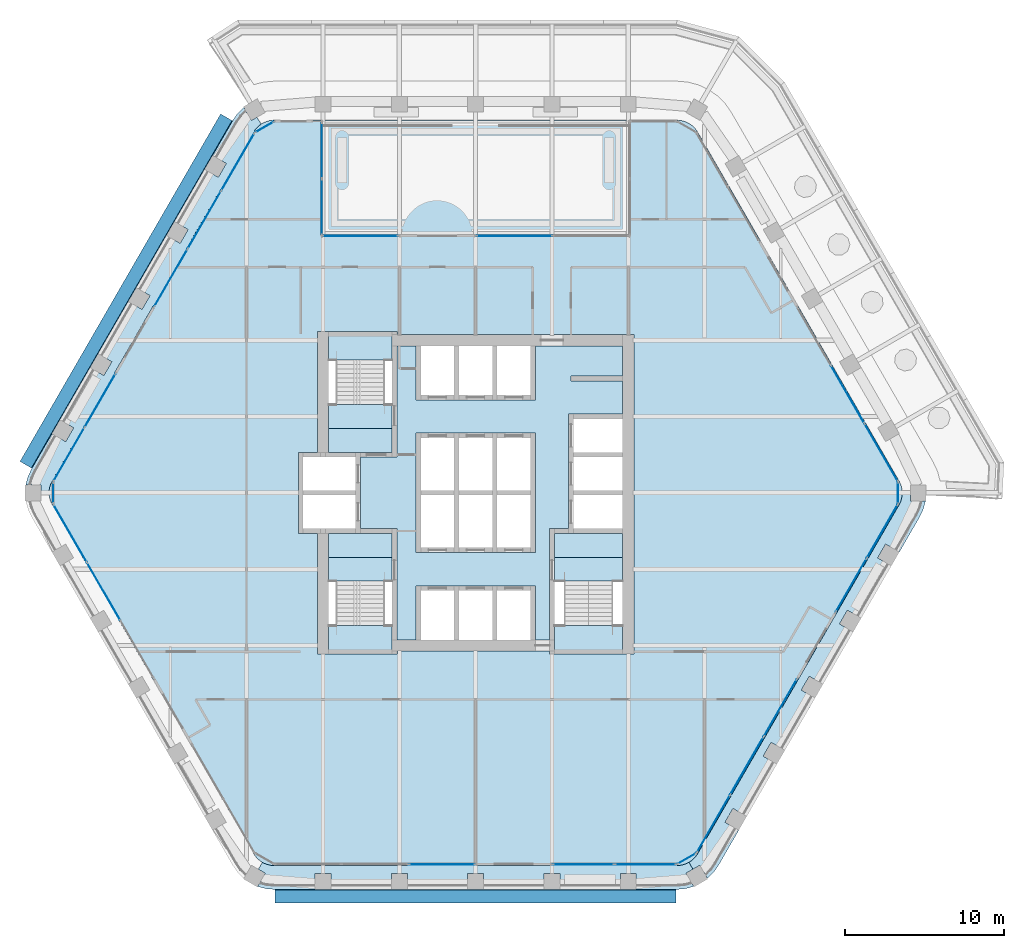
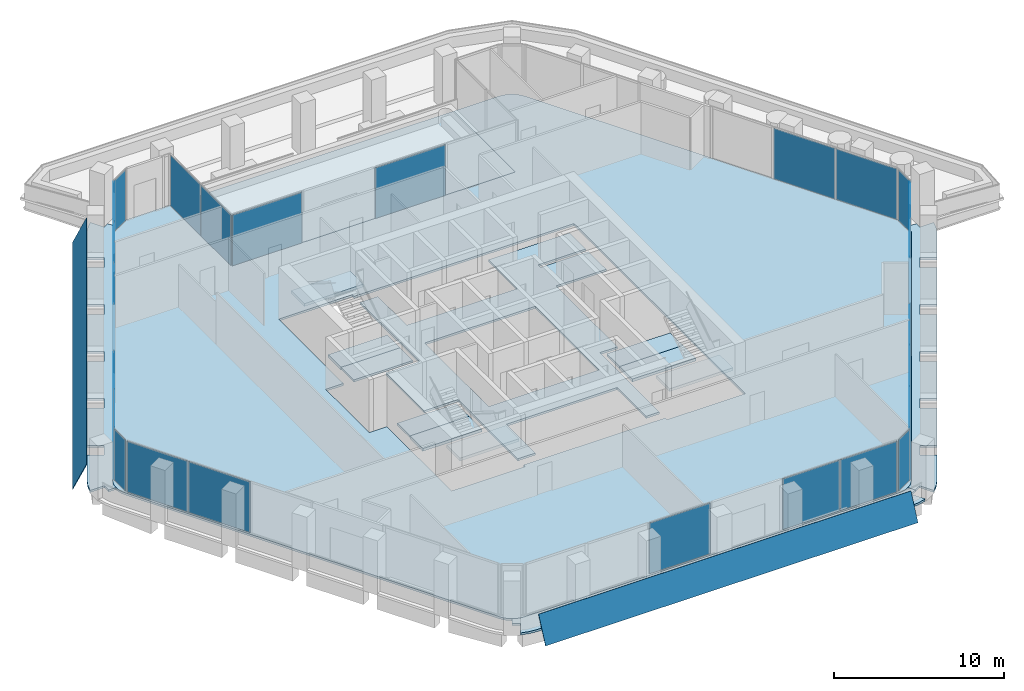
# One storey, part 9 of 17: 27 plates, 15 slabs, 18 elements without a shape of their own.
"""IFC4 building model written with IfcOpenShell, lengths in metres."""

from ifc_helpers import new_model, si_unit, direction, frame, origin, origin_2d, place, context, subcontext, project, spatial, polyline, rectangle, outline, extrude, material, layer, layer_set, type_object, element, aggregate, save


model = new_model("IFC4")

# Units and contexts
model_context = context("Model", 3, precision=1e-05, world=origin(), true_north=direction((0.0, 1.0)))
body_context = subcontext(model_context, "Body", "Model", "MODEL_VIEW")
ifc_project = project(units=[si_unit("LENGTHUNIT", "METRE"), si_unit("AREAUNIT", "SQUARE_METRE"), si_unit("VOLUMEUNIT", "CUBIC_METRE"), si_unit("PLANEANGLEUNIT", "RADIAN"), si_unit("MASSUNIT", "GRAM", prefix="KILO")], contexts=[model_context])

# Site, building, storey
site_placement = place(None, origin())
site = spatial("IfcSite", under=ifc_project, at=site_placement, CompositionType="ELEMENT")
building_placement = place(site_placement, origin())
building = spatial("IfcBuilding", under=site, at=building_placement, Name="Kolab Exchange Tower", CompositionType="ELEMENT")
storey_placement = place(building_placement, frame((0.0, 0.0, 166.10009765625)))
storey = spatial("IfcBuildingStorey", under=building, at=storey_placement, Name="L34", CompositionType="ELEMENT", Elevation=166.10009765625)

# Slabs
ifc_material_1 = material(Name="Concrete C35/45", Category="concrete")
ifc_layer_1 = layer(ifc_material_1, 0.14990234375)
ifc_layer_set_1 = layer_set([ifc_layer_1], Name="Concrete C35/45")
slab_type_1 = type_object("IfcSlabType", Name="FLOOR SLAB 150", PredefinedType="FLOOR", material=ifc_layer_set_1)
slab_1_placement = place(storey_placement, frame((0.0, 0.0, -0.150146484375)))
element("IfcSlab", 1, at=slab_1_placement, inside=storey, type_object=slab_type_1, Name="slab/L34/floor/0", PredefinedType="FLOOR", context=body_context, shape_type="SweptSolid", body=[
    extrude(outline(polyline([(12.66796875, 23.441650390625), (9.60009765625, 23.441650390625), (9.60009765625, 16.241455078125), (-9.60009765625, 16.241455078125), (-9.60009765625, 23.441650390625), (-12.66796875, 23.441650390625), (-12.928466796875, 23.418701171875), (-13.180908203125, 23.35107421875), (-13.41796875, 23.240478515625), (-13.632080078125, 23.090576171875), (-13.81689453125, 22.90576171875), (-13.967041015625, 22.691650390625), (-26.635009765625, 0.75), (-26.745361328125, 0.512939453125), (-26.81298828125, 0.260498046875), (-26.8359375, 0.0), (-26.81298828125, -0.260498046875), (-26.745361328125, -0.512939453125), (-26.635009765625, -0.75), (-13.967041015625, -22.691650390625), (-13.81689453125, -22.90576171875), (-13.632080078125, -23.090576171875), (-13.41796875, -23.240478515625), (-13.180908203125, -23.35107421875), (-12.928466796875, -23.418701171875), (-12.66796875, -23.441650390625), (12.66796875, -23.441650390625), (12.928466796875, -23.418701171875), (13.180908203125, -23.35107421875), (13.41796875, -23.240478515625), (13.632080078125, -23.090576171875), (13.81689453125, -22.90576171875), (13.967041015625, -22.691650390625), (26.635009765625, -0.75), (26.745361328125, -0.512939453125), (26.81298828125, -0.260498046875), (26.8359375, 0.0), (26.81298828125, 0.260498046875), (26.745361328125, 0.512939453125), (26.635009765625, 0.75), (13.967041015625, 22.691650390625), (13.81689453125, 22.90576171875), (13.632080078125, 23.090576171875), (13.41796875, 23.240478515625), (13.180908203125, 23.35107421875), (12.928466796875, 23.418701171875), (12.66796875, 23.441650390625)]), holes=[polyline([(-9.25, -10.14990234375), (-9.949951171875, -10.14990234375), (-9.949951171875, -2.550048828125), (-10.85009765625, -2.550048828125), (-11.14990234375, -2.550048828125), (-11.14990234375, 2.550048828125), (-10.85009765625, 2.550048828125), (-9.949951171875, 2.550048828125), (-9.949951171875, 10.14990234375), (-9.25, 10.14990234375), (-5.25, 10.14990234375), (-4.949951171875, 10.14990234375), (-4.949951171875, 9.949951171875), (9.25, 9.949951171875), (9.949951171875, 9.949951171875), (9.949951171875, -10.14990234375), (9.25, -10.14990234375), (4.949951171875, -10.14990234375), (4.64990234375, -10.14990234375), (4.64990234375, -9.949951171875), (-4.949951171875, -9.949951171875), (-4.949951171875, -10.14990234375), (-5.25, -10.14990234375), (-9.25, -10.14990234375)])]), origin(), (0.0, 0.0, 1.0), 0.150146484375),
])
slab_2_placement = place(storey_placement, frame((0.0, 0.0, -0.150146484375)))
element("IfcSlab", 2, at=slab_2_placement, inside=storey, type_object=slab_type_1, Name="slab/L34/floor/1", PredefinedType="FLOOR", context=body_context, shape_type="SweptSolid", body=[
    extrude(outline(polyline([(-4.949951171875, 9.25), (-4.949951171875, 2.25), (-5.25, 2.25), (-7.25, 2.25), (-7.25, -2.25), (-5.25, -2.25), (-4.949951171875, -2.25), (-4.949951171875, -9.25), (-3.75, -9.25), (-3.75, -5.85009765625), (-3.449951171875, -5.85009765625), (-1.35009765625, -5.85009765625), (-1.050048828125, -5.85009765625), (1.050048828125, -5.85009765625), (1.35009765625, -5.85009765625), (3.449951171875, -5.85009765625), (3.75, -5.85009765625), (3.75, -9.25), (4.64990234375, -9.25), (4.64990234375, -2.25), (4.949951171875, -2.25), (5.85009765625, -2.25), (5.85009765625, 4.949951171875), (6.14990234375, 4.949951171875), (9.25, 4.949951171875), (9.25, 7.050048828125), (6.0, 7.050048828125), (6.0, 7.35009765625), (9.25, 7.35009765625), (9.25, 9.25), (3.75, 9.25), (3.75, 5.85009765625), (3.449951171875, 5.85009765625), (1.35009765625, 5.85009765625), (1.050048828125, 5.85009765625), (-1.050048828125, 5.85009765625), (-1.35009765625, 5.85009765625), (-3.449951171875, 5.85009765625), (-3.75, 5.85009765625), (-3.75, 9.25), (-4.949951171875, 9.25)]), holes=[polyline([(-3.449951171875, -3.75), (-3.75, -3.75), (-3.75, 3.75), (-3.449951171875, 3.75), (-1.35009765625, 3.75), (-1.050048828125, 3.75), (1.050048828125, 3.75), (1.35009765625, 3.75), (3.449951171875, 3.75), (3.75, 3.75), (3.75, -3.75), (3.449951171875, -3.75), (1.35009765625, -3.75), (1.050048828125, -3.75), (-1.050048828125, -3.75), (-1.35009765625, -3.75), (-3.449951171875, -3.75)])]), origin(), (0.0, 0.0, 1.0), 0.150146484375),
])
slab_3_placement = place(storey_placement, frame((0.0, 0.0, -0.150146484375)))
element("IfcSlab", 3, at=slab_3_placement, inside=storey, type_object=slab_type_1, Name="slab/L34/floor/2", PredefinedType="FLOOR", context=body_context, shape_type="SweptSolid", body=[
    extrude(outline(polyline([(4.949951171875, -4.050048828125), (9.25, -4.050048828125), (9.25, -2.550048828125), (6.14990234375, -2.550048828125), (5.85009765625, -2.550048828125), (4.949951171875, -2.550048828125), (4.949951171875, -4.050048828125)])), origin(), (0.0, 0.0, 1.0), 0.150146484375),
])
slab_4_placement = place(storey_placement, frame((0.0, 0.0, -0.150146484375)))
element("IfcSlab", 4, at=slab_4_placement, inside=storey, type_object=slab_type_1, Name="slab/L34/floor/3", PredefinedType="FLOOR", context=body_context, shape_type="SweptSolid", body=[
    extrude(outline(polyline([(-7.550048828125, -2.550048828125), (-9.25, -2.550048828125), (-9.25, -4.050048828125), (-5.25, -4.050048828125), (-5.25, -2.550048828125), (-7.25, -2.550048828125), (-7.550048828125, -2.550048828125)])), origin(), (0.0, 0.0, 1.0), 0.150146484375),
])
slab_5_placement = place(storey_placement, frame((0.0, 0.0, -0.150146484375)))
element("IfcSlab", 5, at=slab_5_placement, inside=storey, type_object=slab_type_1, Name="slab/L34/floor/4", PredefinedType="FLOOR", context=body_context, shape_type="SweptSolid", body=[
    extrude(outline(polyline([(-9.25, 2.550048828125), (-7.550048828125, 2.550048828125), (-7.25, 2.550048828125), (-5.25, 2.550048828125), (-5.25, 4.050048828125), (-9.25, 4.050048828125), (-9.25, 2.550048828125)])), origin(), (0.0, 0.0, 1.0), 0.150146484375),
])
ifc_layer_2 = layer(ifc_material_1, 0.14990234375)
ifc_layer_set_2 = layer_set([ifc_layer_2], Name="Concrete C35/45")
slab_type_2 = type_object("IfcSlabType", Name="LOGGIA SLAB 150", PredefinedType="FLOOR", material=ifc_layer_set_2)
slab_6_placement = place(storey_placement, frame((0.0, 0.0, -0.150146484375)))
element("IfcSlab", 6, at=slab_6_placement, inside=storey, type_object=slab_type_2, Name="slab/L34/loggia/2-0", PredefinedType="FLOOR", context=body_context, shape_type="SweptSolid", body=[
    extrude(outline(polyline([(14.966064453125, -23.869873046875), (15.26611328125, -23.441650390625), (16.550048828125, -21.217529296875), (15.68408203125, -20.717529296875), (16.18408203125, -19.8515625), (17.050048828125, -20.3515625), (18.949951171875, -17.060791015625), (18.083984375, -16.560791015625), (18.583984375, -15.694580078125), (19.449951171875, -16.194580078125), (21.35009765625, -12.90380859375), (20.48388671875, -12.40380859375), (20.98388671875, -11.537841796875), (21.85009765625, -12.037841796875), (23.75, -8.746826171875), (22.884033203125, -8.246826171875), (23.384033203125, -7.380859375), (24.25, -7.880859375), (26.14990234375, -4.58984375), (25.283935546875, -4.08984375), (25.783935546875, -3.223876953125), (26.64990234375, -3.723876953125), (27.93408203125, -1.5), (28.155029296875, -1.026123046875), (28.290283203125, -0.52099609375), (28.292236328125, -0.5), (27.3359375, -0.5), (27.3359375, -0.10107421875), (26.829345703125, -0.07568359375), (26.81298828125, -0.260498046875), (26.745361328125, -0.512939453125), (26.635009765625, -0.75), (13.967041015625, -22.691650390625), (13.81689453125, -22.90576171875), (13.632080078125, -23.090576171875), (13.41796875, -23.240478515625), (13.66796875, -23.673583984375), (14.10107421875, -23.423583984375), (14.5791015625, -24.251708984375), (14.59619140625, -24.23974609375), (14.966064453125, -23.869873046875)])), origin(), (0.0, 0.0, 1.0), 0.150146484375),
])
slab_7_placement = place(storey_placement, frame((0.0, 0.0, -0.150146484375)))
element("IfcSlab", 7, at=slab_7_placement, inside=storey, type_object=slab_type_2, Name="slab/L34/loggia/3-0", PredefinedType="FLOOR", context=body_context, shape_type="SweptSolid", body=[
    extrude(outline(polyline([(-13.180908203125, -23.35107421875), (-13.41796875, -23.240478515625), (-13.66796875, -23.673583984375), (-13.23486328125, -23.923583984375), (-13.713134765625, -24.751708984375), (-13.694091796875, -24.760498046875), (-13.18896484375, -24.89599609375), (-12.66796875, -24.941650390625), (-10.10009765625, -24.941650390625), (-10.10009765625, -23.941650390625), (-9.10009765625, -23.941650390625), (-9.10009765625, -24.941650390625), (-5.300048828125, -24.941650390625), (-5.300048828125, -23.941650390625), (-4.300048828125, -23.941650390625), (-4.300048828125, -24.941650390625), (-0.5, -24.941650390625), (-0.5, -23.941650390625), (0.5, -23.941650390625), (0.5, -24.941650390625), (4.300048828125, -24.941650390625), (4.300048828125, -23.941650390625), (5.300048828125, -23.941650390625), (5.300048828125, -24.941650390625), (9.10009765625, -24.941650390625), (9.10009765625, -23.941650390625), (10.10009765625, -23.941650390625), (10.10009765625, -24.941650390625), (12.66796875, -24.941650390625), (13.18896484375, -24.89599609375), (13.694091796875, -24.760498046875), (13.713134765625, -24.751708984375), (13.23486328125, -23.923583984375), (13.66796875, -23.673583984375), (13.41796875, -23.240478515625), (13.180908203125, -23.35107421875), (12.928466796875, -23.418701171875), (12.66796875, -23.441650390625), (-12.66796875, -23.441650390625), (-12.928466796875, -23.418701171875), (-13.180908203125, -23.35107421875)])), origin(), (0.0, 0.0, 1.0), 0.150146484375),
])
slab_8_placement = place(storey_placement, frame((0.0, 0.0, -0.150146484375)))
element("IfcSlab", 8, at=slab_8_placement, inside=storey, type_object=slab_type_2, Name="slab/L34/loggia/5-0", PredefinedType="FLOOR", context=body_context, shape_type="SweptSolid", body=[
    extrude(outline(polyline([(-13.632080078125, 23.090576171875), (-13.480224609375, 23.197021484375), (-13.75537109375, 23.623046875), (-14.10107421875, 23.423583984375), (-14.5791015625, 24.251708984375), (-14.59619140625, 24.23974609375), (-14.966064453125, 23.869873046875), (-15.26611328125, 23.441650390625), (-16.550048828125, 21.217529296875), (-15.68408203125, 20.717529296875), (-16.18408203125, 19.8515625), (-17.050048828125, 20.3515625), (-18.949951171875, 17.060791015625), (-18.083984375, 16.560791015625), (-18.583984375, 15.694580078125), (-19.449951171875, 16.194580078125), (-21.35009765625, 12.90380859375), (-20.48388671875, 12.40380859375), (-20.98388671875, 11.537841796875), (-21.85009765625, 12.037841796875), (-23.75, 8.746826171875), (-22.884033203125, 8.246826171875), (-23.384033203125, 7.380859375), (-24.25, 7.880859375), (-26.14990234375, 4.58984375), (-25.283935546875, 4.08984375), (-25.783935546875, 3.223876953125), (-26.64990234375, 3.723876953125), (-27.93408203125, 1.5), (-28.155029296875, 1.026123046875), (-28.290283203125, 0.52099609375), (-28.292236328125, 0.5), (-27.3359375, 0.5), (-27.3359375, 0.0), (-26.8359375, 0.0), (-26.81298828125, 0.260498046875), (-26.745361328125, 0.512939453125), (-26.635009765625, 0.75), (-13.967041015625, 22.691650390625), (-13.81689453125, 22.90576171875), (-13.632080078125, 23.090576171875)])), origin(), (0.0, 0.0, 1.0), 0.150146484375),
])

# Plates
ifc_material_2 = material(Name="Laminated glass, clear", Category="glass")
ifc_layer_3 = layer(ifc_material_2, 0.0400390625)
ifc_layer_set_3 = layer_set([ifc_layer_3], Name="Laminated glass, clear")
plate_type_1 = type_object("IfcPlateType", Name="OUTER SKIN LAMINATED GLASS SHEET 40", PredefinedType="SHEET", material=ifc_layer_set_3)
plate_1_placement = place(storey_placement, frame((12.617919921875, -25.806640625, -0.68310546875), z_axis=(0.0, -0.90629442354, 0.42264691867), x_axis=(-1.0, 0.0, 0.0)))
element("IfcPlate", 9, at=plate_1_placement, inside=storey, type_object=plate_type_1, Name="Outer skin", PredefinedType="SHEET", context=body_context, shape_type="SweptSolid", body=[
    extrude(outline(polyline([(0.0, 0.0), (25.23583984375, 0.0), (25.23583984375, -1.9611107647099728), (0.0, -1.9611107647099728), (0.0, 0.0)])), origin(), (0.0, 0.0, -1.0), 0.0400390625),
])
plate_2_placement = place(storey_placement, frame((-28.658203125, 1.975830078125, -0.68310546875), z_axis=(-0.784879402523, 0.453150748855, 0.422633082363), x_axis=(0.49999996891, 0.866025421734, -9.26397e-07)))
element("IfcPlate", 10, at=plate_2_placement, inside=storey, type_object=plate_type_1, Name="Outer skin", PredefinedType="SHEET", context=body_context, shape_type="SweptSolid", body=[
    extrude(outline(polyline([(0.0, 0.0), (25.235928246078725, 0.0), (25.235801780826137, -1.9611225980101963), (8.496673513867198e-05, -1.9610710072384852), (0.0, 0.0)])), origin(), (0.0, 0.0, -1.0), 0.0400390625),
])

# Stair, slabs
ifc_material_3 = material(Name="Concrete C50/60", Category="concrete")
stair_type_1 = type_object("IfcStairType", Name="STAIR ST1 RISER 177.3", PredefinedType="HALF_TURN_STAIR", material=ifc_material_3)
stair_1_placement = place(storey_placement, origin())
stair_1 = element("IfcStair", 11, at=stair_1_placement, inside=storey, type_object=stair_type_1, Name="Stair 1", PredefinedType="HALF_TURN_STAIR")
ifc_layer_4 = layer(ifc_material_3, 0.199951171875)
ifc_layer_set_4 = layer_set([ifc_layer_4], Name="Concrete C50/60")
slab_type_3 = type_object("IfcSlabType", Name="STAIR LANDING 200", PredefinedType="LANDING", material=ifc_layer_set_4)
slab_9_placement = place(storey_placement, frame((0.0, 0.0, -0.2001953125)))
slab_9 = element("IfcSlab", 12, at=slab_9_placement, type_object=slab_type_3, Name="ST1 landing 1", PredefinedType="LANDING", context=body_context, shape_type="SweptSolid", body=[
    extrude(outline(polyline([(-9.25, 4.050048828125), (-5.25, 4.050048828125), (-5.25, 5.550048828125), (-9.25, 5.550048828125), (-9.25, 4.050048828125)])), origin(), (0.0, 0.0, 1.0), 0.2001953125),
])
slab_10_placement = place(storey_placement, frame((0.0, 0.0, 1.75)))
slab_10 = element("IfcSlab", 13, at=slab_10_placement, type_object=slab_type_3, Name="ST1 landing 2", PredefinedType="LANDING", context=body_context, shape_type="SweptSolid", body=[
    extrude(outline(polyline([(-9.25, 8.35009765625), (-5.25, 8.35009765625), (-5.25, 9.909912109375), (-9.25, 9.909912109375), (-9.25, 8.35009765625)])), origin(), (0.0, 0.0, 1.0), 0.199951171875),
])
aggregate(stair_1, [slab_9, slab_10])

stair_type_2 = type_object("IfcStairType", Name="STAIR ST3 RISER 177.3", PredefinedType="HALF_TURN_STAIR", material=ifc_material_3)
stair_2_placement = place(storey_placement, origin())
stair_2 = element("IfcStair", 14, at=stair_2_placement, inside=storey, type_object=stair_type_2, Name="Stair 3", PredefinedType="HALF_TURN_STAIR")
slab_11_placement = place(storey_placement, frame((0.0, 0.0, -0.2001953125)))
slab_11 = element("IfcSlab", 15, at=slab_11_placement, type_object=slab_type_3, Name="ST3 landing 1", PredefinedType="LANDING", context=body_context, shape_type="SweptSolid", body=[
    extrude(outline(polyline([(-9.25, -5.550048828125), (-5.25, -5.550048828125), (-5.25, -4.050048828125), (-9.25, -4.050048828125), (-9.25, -5.550048828125)])), origin(), (0.0, 0.0, 1.0), 0.2001953125),
])
slab_12_placement = place(storey_placement, frame((0.0, 0.0, 1.75)))
slab_12 = element("IfcSlab", 16, at=slab_12_placement, type_object=slab_type_3, Name="ST3 landing 2", PredefinedType="LANDING", context=body_context, shape_type="SweptSolid", body=[
    extrude(outline(polyline([(-9.25, -9.909912109375), (-5.25, -9.909912109375), (-5.25, -8.35009765625), (-9.25, -8.35009765625), (-9.25, -9.909912109375)])), origin(), (0.0, 0.0, 1.0), 0.199951171875),
])
aggregate(stair_2, [slab_11, slab_12])

stair_type_3 = type_object("IfcStairType", Name="STAIR ST2 RISER 177.3", PredefinedType="HALF_TURN_STAIR", material=ifc_material_3)
stair_3_placement = place(storey_placement, origin())
stair_3 = element("IfcStair", 17, at=stair_3_placement, inside=storey, type_object=stair_type_3, Name="Stair 2", PredefinedType="HALF_TURN_STAIR")
slab_13_placement = place(storey_placement, frame((0.0, 0.0, -0.2001953125)))
slab_13 = element("IfcSlab", 18, at=slab_13_placement, type_object=slab_type_3, Name="ST2 landing 1", PredefinedType="LANDING", context=body_context, shape_type="SweptSolid", body=[
    extrude(outline(polyline([(4.949951171875, -5.550048828125), (9.25, -5.550048828125), (9.25, -4.050048828125), (4.949951171875, -4.050048828125), (4.949951171875, -5.550048828125)])), origin(), (0.0, 0.0, 1.0), 0.2001953125),
])
slab_14_placement = place(storey_placement, frame((0.0, 0.0, 1.75)))
slab_14 = element("IfcSlab", 19, at=slab_14_placement, type_object=slab_type_3, Name="ST2 landing 2", PredefinedType="LANDING", context=body_context, shape_type="SweptSolid", body=[
    extrude(outline(polyline([(4.949951171875, -9.909912109375), (9.25, -9.909912109375), (9.25, -8.35009765625), (4.949951171875, -8.35009765625), (4.949951171875, -9.909912109375)])), origin(), (0.0, 0.0, 1.0), 0.199951171875),
])
aggregate(stair_3, [slab_13, slab_14])

# Slab
ifc_layer_5 = layer(ifc_material_1, 0.14990234375)
ifc_layer_set_5 = layer_set([ifc_layer_5], Name="Concrete C35/45")
slab_type_4 = type_object("IfcSlabType", Name="TERRACE SLAB 150 PLANTED", PredefinedType="ROOF", material=ifc_layer_set_5)
slab_15_placement = place(storey_placement, frame((0.0, 0.0, -0.150146484375)))
element("IfcSlab", 20, at=slab_15_placement, inside=storey, type_object=slab_type_4, Name="Roof terrace", PredefinedType="ROOF", context=body_context, shape_type="SweptSolid", body=[
    extrude(outline(polyline([(-9.60009765625, 23.441650390625), (-9.60009765625, 16.241455078125), (9.60009765625, 16.241455078125), (9.60009765625, 23.441650390625), (-9.60009765625, 23.441650390625)])), origin(), (0.0, 0.0, 1.0), 0.150146484375),
])

# Curtain wall, plates
ifc_material_4 = material(Name="Aluminium EN AW-6063 T6", Category="aluminium")
curtain_wall_type = type_object("IfcCurtainWallType", Name="UNITISED UPPER MID ZONE CURTAIN WALL", PredefinedType="NOTDEFINED", material=ifc_material_4)
curtain_wall_1_placement = place(storey_placement, origin())
curtain_wall_1 = element("IfcCurtainWall", 21, at=curtain_wall_1_placement, inside=storey, type_object=curtain_wall_type, Name="cw/L34/F1-rl-1", PredefinedType="NOTDEFINED")
ifc_material_5 = material(Name="Clear insulated glazing unit", Category="glass")
ifc_layer_6 = layer(ifc_material_5, 0.028076171875)
ifc_layer_set_6 = layer_set([ifc_layer_6], Name="Clear insulated glazing unit")
plate_type_2 = type_object("IfcPlateType", Name="UNITISED UPPER MID ZONE GLASS PANEL 28", PredefinedType="CURTAIN_PANEL", material=ifc_layer_set_6)
plate_3_placement = place(storey_placement, frame((-9.679931640625, 21.546630859375, 0.06005859375), z_axis=(0.0, 0.0, 1.0), x_axis=(0.0, -1.0, 0.0)))
plate_3 = element("IfcPlate", 22, at=plate_3_placement, type_object=plate_type_2, Name="CW3 panel 1.1", PredefinedType="CURTAIN_PANEL", context=body_context, shape_type="SweptSolid", body=[
    extrude(rectangle(XDim=3.510009765625, YDim=0.028076171875, at=origin_2d()), origin(), (0.0, 0.0, 1.0), 3.6298828125),
])
plate_4_placement = place(storey_placement, frame((-9.679931640625, 17.9765625, 0.06005859375), z_axis=(0.0, 0.0, 1.0), x_axis=(0.0, -1.0, 0.0)))
plate_4 = element("IfcPlate", 23, at=plate_4_placement, type_object=plate_type_2, Name="CW3 panel 2.1", PredefinedType="CURTAIN_PANEL", context=body_context, shape_type="SweptSolid", body=[
    extrude(rectangle(XDim=3.510009765625, YDim=0.028076171875, at=origin_2d()), origin(), (0.0, 0.0, 1.0), 3.6298828125),
])
aggregate(curtain_wall_1, [plate_3, plate_4])

# Curtain wall, plate
curtain_wall_2_placement = place(storey_placement, origin())
curtain_wall_2 = element("IfcCurtainWall", 24, at=curtain_wall_2_placement, inside=storey, type_object=curtain_wall_type, Name="cw/L34/F1-back-1", PredefinedType="NOTDEFINED")
plate_5_placement = place(storey_placement, frame((-7.260009765625, 16.16162109375, 0.06005859375), z_axis=(0.0, 0.0, 1.0), x_axis=(1.0, 0.0, 0.0)))
plate_5 = element("IfcPlate", 25, at=plate_5_placement, type_object=plate_type_2, Name="CW3 panel 1.1", PredefinedType="CURTAIN_PANEL", context=body_context, shape_type="SweptSolid", body=[
    extrude(rectangle(XDim=4.719970703125, YDim=0.028076171875, at=origin_2d()), origin(), (0.0, 0.0, 1.0), 3.6298828125),
])
aggregate(curtain_wall_2, [plate_5])

curtain_wall_3_placement = place(storey_placement, origin())
curtain_wall_3 = element("IfcCurtainWall", 26, at=curtain_wall_3_placement, inside=storey, type_object=curtain_wall_type, Name="cw/L34/F1-back-2", PredefinedType="NOTDEFINED")
plate_6_placement = place(storey_placement, frame((2.43505859375, 16.16162109375, 0.06005859375), z_axis=(0.0, 0.0, 1.0), x_axis=(1.0, 0.0, 0.0)))
plate_6 = element("IfcPlate", 27, at=plate_6_placement, type_object=plate_type_2, Name="CW3 panel 1.1", PredefinedType="CURTAIN_PANEL", context=body_context, shape_type="SweptSolid", body=[
    extrude(rectangle(XDim=4.75, YDim=0.028076171875, at=origin_2d()), origin(), (0.0, 0.0, 1.0), 3.6298828125),
])
aggregate(curtain_wall_3, [plate_6])

# Curtain wall, plates
curtain_wall_4_placement = place(storey_placement, origin())
curtain_wall_4 = element("IfcCurtainWall", 28, at=curtain_wall_4_placement, inside=storey, type_object=curtain_wall_type, Name="cw/L34/F2-2", PredefinedType="NOTDEFINED")
plate_7_placement = place(storey_placement, frame((23.398681640625, 6.1953125, 0.06005859375), z_axis=(0.0, 0.0, 1.0), x_axis=(0.499999958358, -0.866025427826, 0.0)))
plate_7 = element("IfcPlate", 29, at=plate_7_placement, type_object=plate_type_2, Name="CW3 panel 2.1", PredefinedType="CURTAIN_PANEL", context=body_context, shape_type="SweptSolid", body=[
    extrude(rectangle(XDim=4.16259765625, YDim=0.028076171875, at=origin_2d()), origin(), (0.0, 0.0, 1.0), 3.6298828125),
])
plate_8_placement = place(storey_placement, frame((25.50244140625, 2.551513671875, 0.06005859375), z_axis=(0.0, 0.0, 1.0), x_axis=(0.499999958358, -0.866025427826, 0.0)))
plate_8 = element("IfcPlate", 30, at=plate_8_placement, type_object=plate_type_2, Name="CW3 panel 3.1", PredefinedType="CURTAIN_PANEL", context=body_context, shape_type="SweptSolid", body=[
    extrude(rectangle(XDim=4.132568359375, YDim=0.028076171875, at=origin_2d()), origin(), (0.0, 0.0, 1.0), 3.6298828125),
])
aggregate(curtain_wall_4, [plate_7, plate_8])

curtain_wall_5_placement = place(storey_placement, origin())
curtain_wall_5 = element("IfcCurtainWall", 31, at=curtain_wall_5_placement, inside=storey, type_object=curtain_wall_type, Name="cw/L34/F3-1", PredefinedType="NOTDEFINED")
plate_9_placement = place(storey_placement, frame((25.57470703125, -2.426513671875, 0.06005859375), z_axis=(0.0, 0.0, 1.0), x_axis=(-0.499999936366, -0.866025440524, 0.0)))
plate_9 = element("IfcPlate", 32, at=plate_9_placement, type_object=plate_type_2, Name="CW3 panel 1.1", PredefinedType="CURTAIN_PANEL", context=body_context, shape_type="SweptSolid", body=[
    extrude(rectangle(XDim=3.843994140625, YDim=0.028076171875, at=origin_2d()), origin(), (0.0, 0.0, 1.0), 3.6298828125),
])
plate_10_placement = place(storey_placement, frame((23.62255859375, -5.807373046875, 0.06005859375), z_axis=(0.0, 0.0, 1.0), x_axis=(-0.499999936366, -0.866025440524, 0.0)))
plate_10 = element("IfcPlate", 33, at=plate_10_placement, type_object=plate_type_2, Name="CW3 panel 2.1", PredefinedType="CURTAIN_PANEL", context=body_context, shape_type="SweptSolid", body=[
    extrude(rectangle(XDim=3.843994140625, YDim=0.028076171875, at=origin_2d()), origin(), (0.0, 0.0, 1.0), 3.6298828125),
])
aggregate(curtain_wall_5, [plate_9, plate_10])

curtain_wall_6_placement = place(storey_placement, origin())
curtain_wall_6 = element("IfcCurtainWall", 34, at=curtain_wall_6_placement, inside=storey, type_object=curtain_wall_type, Name="cw/L34/F3-2", PredefinedType="NOTDEFINED")
plate_11_placement = place(storey_placement, frame((19.16845703125, -13.522216796875, 0.06005859375), z_axis=(0.0, 0.0, 1.0), x_axis=(-0.500000017564, -0.866025393644, 0.0)))
plate_11 = element("IfcPlate", 35, at=plate_11_placement, type_object=plate_type_2, Name="CW3 panel 1.1", PredefinedType="CURTAIN_PANEL", context=body_context, shape_type="SweptSolid", body=[
    extrude(rectangle(XDim=4.132568359375, YDim=0.028076171875, at=origin_2d()), origin(), (0.0, 0.0, 1.0), 3.6298828125),
])
plate_12_placement = place(storey_placement, frame((17.064697265625, -17.166259765625, 0.06005859375), z_axis=(0.0, 0.0, 1.0), x_axis=(-0.500000017564, -0.866025393644, 0.0)))
plate_12 = element("IfcPlate", 36, at=plate_12_placement, type_object=plate_type_2, Name="CW3 panel 2.1", PredefinedType="CURTAIN_PANEL", context=body_context, shape_type="SweptSolid", body=[
    extrude(rectangle(XDim=4.16259765625, YDim=0.028076171875, at=origin_2d()), origin(), (0.0, 0.0, 1.0), 3.6298828125),
])
plate_13_placement = place(storey_placement, frame((14.9609375, -20.81005859375, 0.06005859375), z_axis=(0.0, 0.0, 1.0), x_axis=(-0.500000017564, -0.866025393644, 0.0)))
plate_13 = element("IfcPlate", 37, at=plate_13_placement, type_object=plate_type_2, Name="CW3 panel 3.1", PredefinedType="CURTAIN_PANEL", context=body_context, shape_type="SweptSolid", body=[
    extrude(rectangle(XDim=4.132568359375, YDim=0.028076171875, at=origin_2d()), origin(), (0.0, 0.0, 1.0), 3.6298828125),
])
aggregate(curtain_wall_6, [plate_11, plate_12, plate_13])

curtain_wall_7_placement = place(storey_placement, origin())
curtain_wall_7 = element("IfcCurtainWall", 38, at=curtain_wall_7_placement, inside=storey, type_object=curtain_wall_type, Name="cw/L34/F4-1", PredefinedType="NOTDEFINED")
plate_14_placement = place(storey_placement, frame((10.68603515625, -23.361572265625, 0.06005859375), z_axis=(0.0, 0.0, 1.0), x_axis=(-1.0, 0.0, 0.0)))
plate_14 = element("IfcPlate", 39, at=plate_14_placement, type_object=plate_type_2, Name="CW3 panel 1.1", PredefinedType="CURTAIN_PANEL", context=body_context, shape_type="SweptSolid", body=[
    extrude(rectangle(XDim=3.843994140625, YDim=0.028076171875, at=origin_2d()), origin(), (0.0, 0.0, 1.0), 3.6298828125),
])
plate_15_placement = place(storey_placement, frame((6.781982421875, -23.361572265625, 0.06005859375), z_axis=(0.0, 0.0, 1.0), x_axis=(-1.0, 0.0, 0.0)))
plate_15 = element("IfcPlate", 40, at=plate_15_placement, type_object=plate_type_2, Name="CW3 panel 2.1", PredefinedType="CURTAIN_PANEL", context=body_context, shape_type="SweptSolid", body=[
    extrude(rectangle(XDim=3.843994140625, YDim=0.028076171875, at=origin_2d()), origin(), (0.0, 0.0, 1.0), 3.6298828125),
])
aggregate(curtain_wall_7, [plate_14, plate_15])

# Curtain wall, plate
curtain_wall_8_placement = place(storey_placement, origin())
curtain_wall_8 = element("IfcCurtainWall", 41, at=curtain_wall_8_placement, inside=storey, type_object=curtain_wall_type, Name="cw/L34/F4-2", PredefinedType="NOTDEFINED")
plate_16_placement = place(storey_placement, frame((-2.126220703125, -23.361572265625, 0.06005859375), z_axis=(0.0, 0.0, 1.0), x_axis=(-1.0, 0.0, 0.0)))
plate_16 = element("IfcPlate", 42, at=plate_16_placement, type_object=plate_type_2, Name="CW3 panel 1.1", PredefinedType="CURTAIN_PANEL", context=body_context, shape_type="SweptSolid", body=[
    extrude(rectangle(XDim=4.132568359375, YDim=0.028076171875, at=origin_2d()), origin(), (0.0, 0.0, 1.0), 3.6298828125),
])
aggregate(curtain_wall_8, [plate_16])

# Curtain wall, plates
curtain_wall_9_placement = place(storey_placement, origin())
curtain_wall_9 = element("IfcCurtainWall", 43, at=curtain_wall_9_placement, inside=storey, type_object=curtain_wall_type, Name="cw/L34/F5-2", PredefinedType="NOTDEFINED")
plate_17_placement = place(storey_placement, frame((-23.398681640625, -6.1953125, 0.06005859375), z_axis=(0.0, 0.0, 1.0), x_axis=(-0.499999958358, 0.866025427826, 0.0)))
plate_17 = element("IfcPlate", 44, at=plate_17_placement, type_object=plate_type_2, Name="CW3 panel 2.1", PredefinedType="CURTAIN_PANEL", context=body_context, shape_type="SweptSolid", body=[
    extrude(rectangle(XDim=4.16259765625, YDim=0.028076171875, at=origin_2d()), origin(), (0.0, 0.0, 1.0), 3.6298828125),
])
plate_18_placement = place(storey_placement, frame((-25.50244140625, -2.551513671875, 0.06005859375), z_axis=(0.0, 0.0, 1.0), x_axis=(-0.499999958358, 0.866025427826, 0.0)))
plate_18 = element("IfcPlate", 45, at=plate_18_placement, type_object=plate_type_2, Name="CW3 panel 3.1", PredefinedType="CURTAIN_PANEL", context=body_context, shape_type="SweptSolid", body=[
    extrude(rectangle(XDim=4.132568359375, YDim=0.028076171875, at=origin_2d()), origin(), (0.0, 0.0, 1.0), 3.6298828125),
])
aggregate(curtain_wall_9, [plate_17, plate_18])

curtain_wall_10_placement = place(storey_placement, origin())
curtain_wall_10 = element("IfcCurtainWall", 46, at=curtain_wall_10_placement, inside=storey, type_object=curtain_wall_type, Name="cw/L34/F6-1", PredefinedType="NOTDEFINED")
plate_19_placement = place(storey_placement, frame((-25.57470703125, 2.426513671875, 0.06005859375), z_axis=(0.0, 0.0, 1.0), x_axis=(0.499999936366, 0.866025440524, 0.0)))
plate_19 = element("IfcPlate", 47, at=plate_19_placement, type_object=plate_type_2, Name="CW3 panel 1.1", PredefinedType="CURTAIN_PANEL", context=body_context, shape_type="SweptSolid", body=[
    extrude(rectangle(XDim=3.843994140625, YDim=0.028076171875, at=origin_2d()), origin(), (0.0, 0.0, 1.0), 3.6298828125),
])
plate_20_placement = place(storey_placement, frame((-23.62255859375, 5.807373046875, 0.06005859375), z_axis=(0.0, 0.0, 1.0), x_axis=(0.499999936366, 0.866025440524, 0.0)))
plate_20 = element("IfcPlate", 48, at=plate_20_placement, type_object=plate_type_2, Name="CW3 panel 2.1", PredefinedType="CURTAIN_PANEL", context=body_context, shape_type="SweptSolid", body=[
    extrude(rectangle(XDim=3.843994140625, YDim=0.028076171875, at=origin_2d()), origin(), (0.0, 0.0, 1.0), 3.6298828125),
])
aggregate(curtain_wall_10, [plate_19, plate_20])

curtain_wall_11_placement = place(storey_placement, origin())
curtain_wall_11 = element("IfcCurtainWall", 49, at=curtain_wall_11_placement, inside=storey, type_object=curtain_wall_type, Name="cw/L34/F6-2", PredefinedType="NOTDEFINED")
plate_21_placement = place(storey_placement, frame((-19.16845703125, 13.522216796875, 0.06005859375), z_axis=(0.0, 0.0, 1.0), x_axis=(0.500000017564, 0.866025393644, 0.0)))
plate_21 = element("IfcPlate", 50, at=plate_21_placement, type_object=plate_type_2, Name="CW3 panel 1.1", PredefinedType="CURTAIN_PANEL", context=body_context, shape_type="SweptSolid", body=[
    extrude(rectangle(XDim=4.132568359375, YDim=0.028076171875, at=origin_2d()), origin(), (0.0, 0.0, 1.0), 3.6298828125),
])
plate_22_placement = place(storey_placement, frame((-17.064697265625, 17.166259765625, 0.06005859375), z_axis=(0.0, 0.0, 1.0), x_axis=(0.500000017564, 0.866025393644, 0.0)))
plate_22 = element("IfcPlate", 51, at=plate_22_placement, type_object=plate_type_2, Name="CW3 panel 2.1", PredefinedType="CURTAIN_PANEL", context=body_context, shape_type="SweptSolid", body=[
    extrude(rectangle(XDim=4.16259765625, YDim=0.028076171875, at=origin_2d()), origin(), (0.0, 0.0, 1.0), 3.6298828125),
])
plate_23_placement = place(storey_placement, frame((-14.9609375, 20.81005859375, 0.06005859375), z_axis=(0.0, 0.0, 1.0), x_axis=(0.500000017564, 0.866025393644, 0.0)))
plate_23 = element("IfcPlate", 52, at=plate_23_placement, type_object=plate_type_2, Name="CW3 panel 3.1", PredefinedType="CURTAIN_PANEL", context=body_context, shape_type="SweptSolid", body=[
    extrude(rectangle(XDim=4.132568359375, YDim=0.028076171875, at=origin_2d()), origin(), (0.0, 0.0, 1.0), 3.6298828125),
])
aggregate(curtain_wall_11, [plate_21, plate_22, plate_23])

# Curtain wall, plate
curtain_wall_12_placement = place(storey_placement, origin())
curtain_wall_12 = element("IfcCurtainWall", 53, at=curtain_wall_12_placement, inside=storey, type_object=curtain_wall_type, Name="cw/L34/F2F3-corner", PredefinedType="NOTDEFINED")
plate_24_placement = place(storey_placement, frame((26.565673828125, 0.0, 0.06005859375), z_axis=(0.0, 0.0, 1.0), x_axis=(0.0, -1.0, 0.0)))
plate_24 = element("IfcPlate", 54, at=plate_24_placement, type_object=plate_type_2, Name="CW3 panel 1.1", PredefinedType="CURTAIN_PANEL", context=body_context, shape_type="SweptSolid", body=[
    extrude(rectangle(XDim=1.300048828125, YDim=0.028076171875, at=origin_2d()), origin(), (0.0, 0.0, 1.0), 3.6298828125),
])
aggregate(curtain_wall_12, [plate_24])

curtain_wall_13_placement = place(storey_placement, origin())
curtain_wall_13 = element("IfcCurtainWall", 55, at=curtain_wall_13_placement, inside=storey, type_object=curtain_wall_type, Name="cw/L34/F3F4-corner", PredefinedType="NOTDEFINED")
plate_25_placement = place(storey_placement, frame((13.28271484375, -23.006591796875, 0.06005859375), z_axis=(0.0, 0.0, 1.0), x_axis=(-0.866025390869, -0.50000002237, 0.0)))
plate_25 = element("IfcPlate", 56, at=plate_25_placement, type_object=plate_type_2, Name="CW3 panel 1.1", PredefinedType="CURTAIN_PANEL", context=body_context, shape_type="SweptSolid", body=[
    extrude(rectangle(XDim=1.300048828125, YDim=0.028076171875, at=origin_2d()), origin(), (0.0, 0.0, 1.0), 3.6298828125),
])
aggregate(curtain_wall_13, [plate_25])

curtain_wall_14_placement = place(storey_placement, origin())
curtain_wall_14 = element("IfcCurtainWall", 57, at=curtain_wall_14_placement, inside=storey, type_object=curtain_wall_type, Name="cw/L34/F5F6-corner", PredefinedType="NOTDEFINED")
plate_26_placement = place(storey_placement, frame((-26.565673828125, 0.0, 0.06005859375), z_axis=(0.0, 0.0, 1.0), x_axis=(0.0, 1.0, 0.0)))
plate_26 = element("IfcPlate", 58, at=plate_26_placement, type_object=plate_type_2, Name="CW3 panel 1.1", PredefinedType="CURTAIN_PANEL", context=body_context, shape_type="SweptSolid", body=[
    extrude(rectangle(XDim=1.300048828125, YDim=0.028076171875, at=origin_2d()), origin(), (0.0, 0.0, 1.0), 3.6298828125),
])
aggregate(curtain_wall_14, [plate_26])

curtain_wall_15_placement = place(storey_placement, origin())
curtain_wall_15 = element("IfcCurtainWall", 59, at=curtain_wall_15_placement, inside=storey, type_object=curtain_wall_type, Name="cw/L34/F6F1-corner", PredefinedType="NOTDEFINED")
plate_27_placement = place(storey_placement, frame((-13.28271484375, 23.006591796875, 0.06005859375), z_axis=(0.0, 0.0, 1.0), x_axis=(0.866025390869, 0.50000002237, 0.0)))
plate_27 = element("IfcPlate", 60, at=plate_27_placement, type_object=plate_type_2, Name="CW3 panel 1.1", PredefinedType="CURTAIN_PANEL", context=body_context, shape_type="SweptSolid", body=[
    extrude(rectangle(XDim=1.300048828125, YDim=0.028076171875, at=origin_2d()), origin(), (0.0, 0.0, 1.0), 3.6298828125),
])
aggregate(curtain_wall_15, [plate_27])

save(model, "model.ifc")
